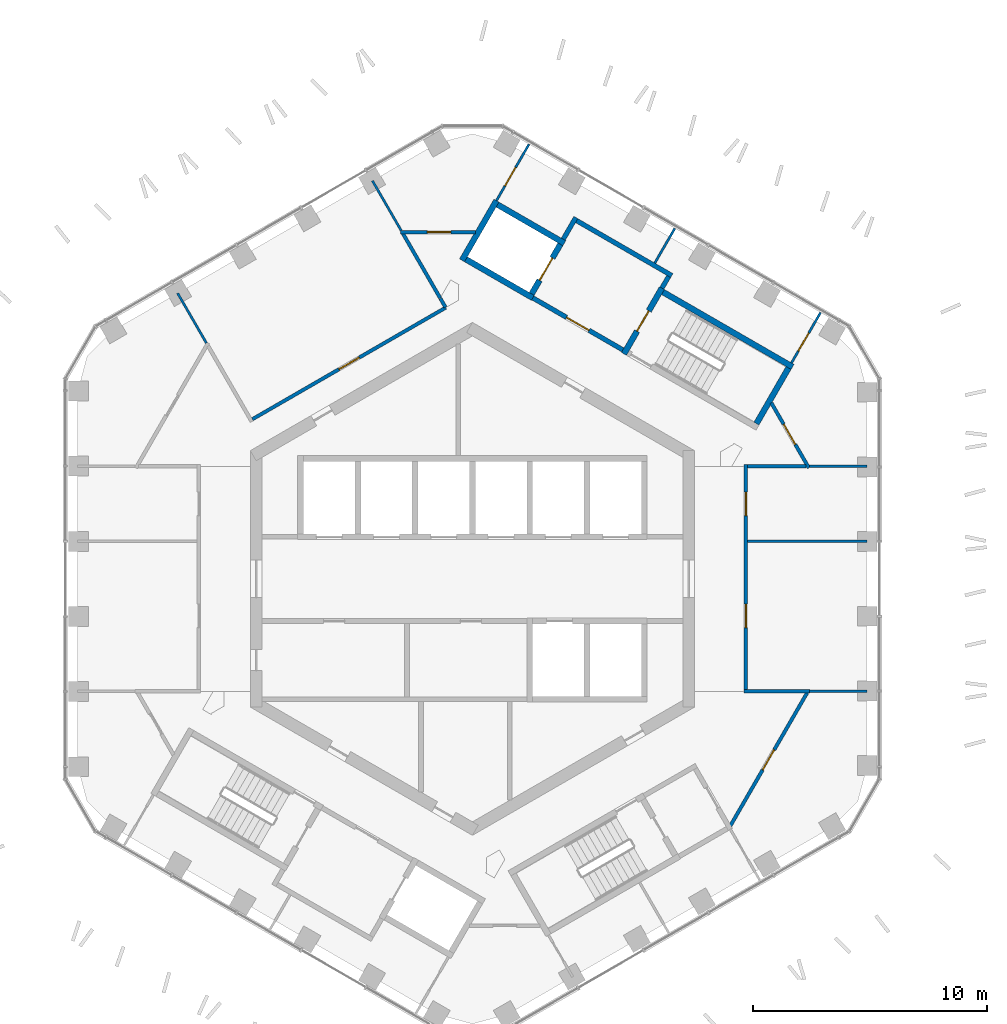
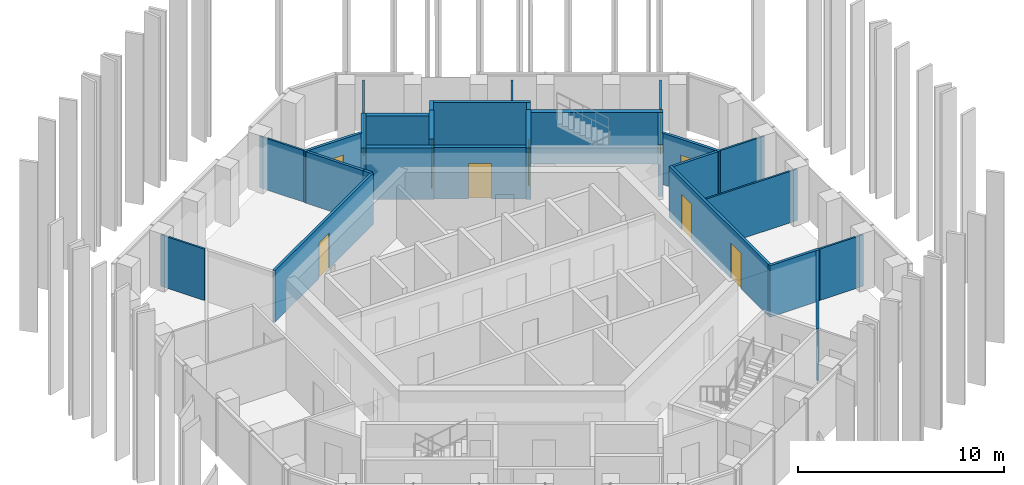
# One storey, part 14 of 18: 28 walls, 11 doors, 11 openings.
"""IFC4 building model written with IfcOpenShell, lengths in metres."""

from ifc_helpers import new_model, si_unit, direction, frame, frame_2d, origin, place, context, subcontext, project, spatial, rectangle, extrude, material, layer, layer_set, type_object, element, fill, save


model = new_model("IFC4")

# Units and contexts
model_context = context("Model", 3, precision=1e-05, world=origin(), true_north=direction((0.0, 1.0)))
body_context = subcontext(model_context, "Body", "Model", "MODEL_VIEW")
ifc_project = project(units=[si_unit("LENGTHUNIT", "METRE"), si_unit("AREAUNIT", "SQUARE_METRE"), si_unit("VOLUMEUNIT", "CUBIC_METRE"), si_unit("PLANEANGLEUNIT", "RADIAN"), si_unit("MASSUNIT", "GRAM", prefix="KILO")], contexts=[model_context])

# Site, building, storey
site_placement = place(None, origin())
site = spatial("IfcSite", under=ifc_project, at=site_placement, CompositionType="ELEMENT")
building_placement = place(site_placement, origin())
building = spatial("IfcBuilding", under=site, at=building_placement, Name="Ayvan Gate Tower", CompositionType="ELEMENT")
storey_placement = place(building_placement, frame((0.0, 0.0, 218.89990234375)))
storey = spatial("IfcBuildingStorey", under=building, at=storey_placement, Name="L58", CompositionType="ELEMENT", Elevation=218.89990234375)

# Wall, opening, door
ifc_material_1 = material(Name="Plasterboard on steel stud", Category="steel")
ifc_layer_1 = layer(ifc_material_1, 0.14990234375)
ifc_layer_set_1 = layer_set([ifc_layer_1], Name="Plasterboard on steel stud")
wall_type_1 = type_object("IfcWallType", Name="WT-CORR-150", PredefinedType="PARTITIONING", material=ifc_layer_set_1)
wall_1_placement = place(storey_placement, frame((-9.411376953125, 6.829345703125, 0.0), z_axis=(0.0, 0.0, 1.0), x_axis=(0.866029717158, 0.499992528944, 0.0)))
wall_1 = element("IfcWall", 1, at=wall_1_placement, inside=storey, type_object=wall_type_1, Name="IW-L58-013", PredefinedType="PARTITIONING", context=body_context, shape_type="SweptSolid", body=[
    extrude(rectangle(XDim=9.546630859375, YDim=0.14990234375, at=frame_2d((4.7734375, 0.0))), origin(), (0.0, 0.0, 1.0), 3.050048828125),
])
opening_1_placement = place(wall_1_placement, frame((4.273193359375, 0.0, 0.0)))
opening_1 = element("IfcOpeningElement", 2, at=opening_1_placement, cuts=wall_1, Name="Opening L58-D37", PredefinedType="OPENING", context=body_context, shape_type="SweptSolid", body=[
    extrude(rectangle(XDim=1.0, YDim=2.10009765625, at=frame_2d((0.5, 1.050048828125))), frame((0.0, 0.0849609375, 0.0), z_axis=(0.0, -1.0, 0.0), x_axis=(1.0, 0.0, 0.0)), (0.0, 0.0, 1.0), 0.169921875),
])
ifc_material_2 = material(Name="Timber door leaf", Category="wood")
door_type_1 = type_object("IfcDoorType", Name="DT-1000", OperationType="NOTDEFINED", PredefinedType="DOOR", material=ifc_material_2)
door_1_placement = place(opening_1_placement, origin())
door_1 = element("IfcDoor", 3, at=door_1_placement, inside=storey, type_object=door_type_1, Name="ID-L58-037", OperationType="SINGLE_SWING_LEFT", OverallHeight=2.10009765625, OverallWidth=1.0, PredefinedType="DOOR", context=body_context, shape_type="SweptSolid", body=[
    extrude(rectangle(XDim=1.0, YDim=2.10009765625, at=frame_2d((0.5, 1.050048828125))), frame((0.0, 0.02490234375, 0.0), z_axis=(0.0, -1.0, 0.0), x_axis=(1.0, 0.0, 0.0)), (0.0, 0.0, 1.0), 0.050048828125),
])
fill(opening_1, door_1)

wall_2_placement = place(storey_placement, frame((-3.08544921875, 14.8359375, 0.0), z_axis=(0.0, 0.0, 1.0), x_axis=(1.0, 0.0, 0.0)))
wall_2 = element("IfcWall", 4, at=wall_2_placement, inside=storey, type_object=wall_type_1, Name="IW-L58-028", PredefinedType="PARTITIONING", context=body_context, shape_type="SweptSolid", body=[
    extrude(rectangle(XDim=3.212158203125, YDim=0.14990234375, at=frame_2d((1.60595703125, 0.0))), origin(), (0.0, 0.0, 1.0), 3.050048828125),
])
opening_2_placement = place(wall_2_placement, frame((1.160888671875, 0.0, 0.0)))
opening_2 = element("IfcOpeningElement", 5, at=opening_2_placement, cuts=wall_2, Name="Opening L58-D25", PredefinedType="OPENING", context=body_context, shape_type="SweptSolid", body=[
    extrude(rectangle(XDim=1.0, YDim=2.10009765625, at=frame_2d((0.5, 1.050048828125))), frame((0.0, 0.0849609375, 0.0), z_axis=(0.0, -1.0, 0.0), x_axis=(1.0, 0.0, 0.0)), (0.0, 0.0, 1.0), 0.169921875),
])
door_2_placement = place(opening_2_placement, origin())
door_2 = element("IfcDoor", 6, at=door_2_placement, inside=storey, type_object=door_type_1, Name="ID-L58-025", OperationType="SINGLE_SWING_LEFT", OverallHeight=2.10009765625, OverallWidth=1.0, PredefinedType="DOOR", context=body_context, shape_type="SweptSolid", body=[
    extrude(rectangle(XDim=1.0, YDim=2.10009765625, at=frame_2d((0.5, 1.050048828125))), frame((0.0, 0.02490234375, 0.0), z_axis=(0.0, -1.0, 0.0), x_axis=(1.0, 0.0, 0.0)), (0.0, 0.0, 1.0), 0.050048828125),
])
fill(opening_2, door_2)

# Walls
wall_3_placement = place(storey_placement, frame((-1.37939453125, 12.0107421875, 0.0), z_axis=(0.0, 0.0, 1.0), x_axis=(-0.49997000245, 0.866042722185, 0.0)))
element("IfcWall", 7, at=wall_3_placement, inside=storey, type_object=wall_type_1, Name="IW-L58-036", PredefinedType="PARTITIONING", context=body_context, shape_type="SweptSolid", body=[
    extrude(rectangle(XDim=3.187255859375, YDim=0.14990234375, at=frame_2d((1.59375, 0.0))), origin(), (0.0, 0.0, 1.0), 3.050048828125),
])
wall_4_placement = place(storey_placement, frame((-1.369384765625, 11.993408203125, 0.0), z_axis=(0.0, 0.0, 1.0), x_axis=(0.499853131152, -0.86611018195, 0.0)))
element("IfcWall", 8, at=wall_4_placement, inside=storey, type_object=wall_type_1, Name="IW-L58-037", PredefinedType="PARTITIONING", context=body_context, shape_type="SweptSolid", body=[
    extrude(rectangle(XDim=0.431396484375, YDim=0.14990234375, at=frame_2d((0.2158203125, 0.0))), origin(), (0.0, 0.0, 1.0), 3.050048828125),
])
wall_5_placement = place(storey_placement, frame((11.625, -4.810791015625, 0.0), z_axis=(0.0, 0.0, 1.0), x_axis=(1.0, 0.0, 0.0)))
element("IfcWall", 9, at=wall_5_placement, inside=storey, type_object=wall_type_1, Name="IW-L58-075", PredefinedType="PARTITIONING", context=body_context, shape_type="SweptSolid", body=[
    extrude(rectangle(XDim=2.803466796875, YDim=0.14990234375, at=frame_2d((1.40185546875, 0.0))), origin(), (0.0, 0.0, 1.0), 3.050048828125),
])

# Wall, openings, doors
wall_6_placement = place(storey_placement, frame((11.699951171875, -4.73583984375, 0.0), z_axis=(0.0, 0.0, 1.0), x_axis=(0.0, 1.0, 0.0)))
wall_6 = element("IfcWall", 10, at=wall_6_placement, inside=storey, type_object=wall_type_1, Name="IW-L58-077", PredefinedType="PARTITIONING", context=body_context, shape_type="SweptSolid", body=[
    extrude(rectangle(XDim=9.62158203125, YDim=0.14990234375, at=frame_2d((4.810791015625, 0.0))), origin(), (0.0, 0.0, 1.0), 3.050048828125),
])
opening_3_placement = place(wall_6_placement, frame((2.65478515625, 0.0, 0.0)))
opening_3 = element("IfcOpeningElement", 11, at=opening_3_placement, cuts=wall_6, Name="Opening L58-D21", PredefinedType="OPENING", context=body_context, shape_type="SweptSolid", body=[
    extrude(rectangle(XDim=1.0, YDim=2.10009765625, at=frame_2d((0.5, 1.050048828125))), frame((0.0, 0.0849609375, 0.0), z_axis=(0.0, -1.0, 0.0), x_axis=(1.0, 0.0, 0.0)), (0.0, 0.0, 1.0), 0.169921875),
])
opening_4_placement = place(wall_6_placement, frame((7.44287109375, 0.0, 0.0)))
opening_4 = element("IfcOpeningElement", 12, at=opening_4_placement, cuts=wall_6, Name="Opening L58-D22", PredefinedType="OPENING", context=body_context, shape_type="SweptSolid", body=[
    extrude(rectangle(XDim=1.0, YDim=2.10009765625, at=frame_2d((0.5, 1.050048828125))), frame((0.0, 0.0849609375, 0.0), z_axis=(0.0, -1.0, 0.0), x_axis=(1.0, 0.0, 0.0)), (0.0, 0.0, 1.0), 0.169921875),
])
door_3_placement = place(opening_3_placement, origin())
door_3 = element("IfcDoor", 13, at=door_3_placement, inside=storey, type_object=door_type_1, Name="ID-L58-021", OperationType="SINGLE_SWING_LEFT", OverallHeight=2.10009765625, OverallWidth=1.0, PredefinedType="DOOR", context=body_context, shape_type="SweptSolid", body=[
    extrude(rectangle(XDim=1.0, YDim=2.10009765625, at=frame_2d((0.5, 1.050048828125))), frame((0.0, 0.02490234375, 0.0), z_axis=(0.0, -1.0, 0.0), x_axis=(1.0, 0.0, 0.0)), (0.0, 0.0, 1.0), 0.050048828125),
])
fill(opening_3, door_3)
door_4_placement = place(opening_4_placement, origin())
door_4 = element("IfcDoor", 14, at=door_4_placement, inside=storey, type_object=door_type_1, Name="ID-L58-022", OperationType="SINGLE_SWING_RIGHT", OverallHeight=2.10009765625, OverallWidth=1.0, PredefinedType="DOOR", context=body_context, shape_type="SweptSolid", body=[
    extrude(rectangle(XDim=1.0, YDim=2.10009765625, at=frame_2d((0.5, 1.050048828125))), frame((0.0, 0.02490234375, 0.0), z_axis=(0.0, -1.0, 0.0), x_axis=(1.0, 0.0, 0.0)), (0.0, 0.0, 1.0), 0.050048828125),
])
fill(opening_4, door_4)

# Wall, opening, door
wall_7_placement = place(storey_placement, frame((12.784912109375, 7.527587890625, 0.0), z_axis=(0.0, 0.0, 1.0), x_axis=(0.500038251005, -0.86600331843, 0.0)))
wall_7 = element("IfcWall", 15, at=wall_7_placement, inside=storey, type_object=wall_type_1, Name="IW-L58-080", PredefinedType="PARTITIONING", context=body_context, shape_type="SweptSolid", body=[
    extrude(rectangle(XDim=3.212158203125, YDim=0.14990234375, at=frame_2d((1.60595703125, 0.0))), origin(), (0.0, 0.0, 1.0), 3.050048828125),
])
opening_5_placement = place(wall_7_placement, frame((1.05126953125, 0.0, 0.0)))
opening_5 = element("IfcOpeningElement", 16, at=opening_5_placement, cuts=wall_7, Name="Opening L58-D23", PredefinedType="OPENING", context=body_context, shape_type="SweptSolid", body=[
    extrude(rectangle(XDim=1.0, YDim=2.10009765625, at=frame_2d((0.5, 1.050048828125))), frame((0.0, 0.0849609375, 0.0), z_axis=(0.0, -1.0, 0.0), x_axis=(1.0, 0.0, 0.0)), (0.0, 0.0, 1.0), 0.169921875),
])
door_5_placement = place(opening_5_placement, origin())
door_5 = element("IfcDoor", 17, at=door_5_placement, inside=storey, type_object=door_type_1, Name="ID-L58-023", OperationType="SINGLE_SWING_LEFT", OverallHeight=2.10009765625, OverallWidth=1.0, PredefinedType="DOOR", context=body_context, shape_type="SweptSolid", body=[
    extrude(rectangle(XDim=1.0, YDim=2.10009765625, at=frame_2d((0.5, 1.050048828125))), frame((0.0, 0.02490234375, 0.0), z_axis=(0.0, -1.0, 0.0), x_axis=(1.0, 0.0, 0.0)), (0.0, 0.0, 1.0), 0.050048828125),
])
fill(opening_5, door_5)

# Wall
wall_8_placement = place(storey_placement, frame((14.278564453125, 4.810791015625, 0.0), z_axis=(0.0, 0.0, 1.0), x_axis=(-1.0, 0.0, 0.0)))
element("IfcWall", 18, at=wall_8_placement, inside=storey, type_object=wall_type_1, Name="IW-L58-083", PredefinedType="PARTITIONING", context=body_context, shape_type="SweptSolid", body=[
    extrude(rectangle(XDim=2.503662109375, YDim=0.14990234375, at=frame_2d((1.251953125, 0.0))), origin(), (0.0, 0.0, 1.0), 3.050048828125),
])

# Wall, opening, door
wall_9_placement = place(storey_placement, frame((14.31591796875, -4.875732421875, 0.0), z_axis=(0.0, 0.0, 1.0), x_axis=(-0.499994719637, -0.866028452382, 0.0)))
wall_9 = element("IfcWall", 19, at=wall_9_placement, inside=storey, type_object=wall_type_1, Name="IW-L58-085", PredefinedType="PARTITIONING", context=body_context, shape_type="SweptSolid", body=[
    extrude(rectangle(XDim=6.701171875, YDim=0.14990234375, at=frame_2d((3.3505859375, 0.0))), origin(), (0.0, 0.0, 1.0), 3.050048828125),
])
opening_6_placement = place(wall_9_placement, frame((2.808349609375, 0.0, 0.0)))
opening_6 = element("IfcOpeningElement", 20, at=opening_6_placement, cuts=wall_9, Name="Opening L58-D35", PredefinedType="OPENING", context=body_context, shape_type="SweptSolid", body=[
    extrude(rectangle(XDim=1.0, YDim=2.10009765625, at=frame_2d((0.5, 1.050048828125))), frame((0.0, 0.0849609375, 0.0), z_axis=(0.0, -1.0, 0.0), x_axis=(1.0, 0.0, 0.0)), (0.0, 0.0, 1.0), 0.169921875),
])
door_6_placement = place(opening_6_placement, origin())
door_6 = element("IfcDoor", 21, at=door_6_placement, inside=storey, type_object=door_type_1, Name="ID-L58-035", OperationType="SINGLE_SWING_LEFT", OverallHeight=2.10009765625, OverallWidth=1.0, PredefinedType="DOOR", context=body_context, shape_type="SweptSolid", body=[
    extrude(rectangle(XDim=1.0, YDim=2.10009765625, at=frame_2d((0.5, 1.050048828125))), frame((0.0, 0.02490234375, 0.0), z_axis=(0.0, -1.0, 0.0), x_axis=(1.0, 0.0, 0.0)), (0.0, 0.0, 1.0), 0.050048828125),
])
fill(opening_6, door_6)

# Walls
ifc_layer_2 = layer(ifc_material_1, 0.10009765625)
ifc_layer_set_2 = layer_set([ifc_layer_2], Name="Plasterboard on steel stud")
wall_type_2 = type_object("IfcWallType", Name="WT-PART-100", PredefinedType="PARTITIONING", material=ifc_layer_set_2)
wall_10_placement = place(storey_placement, frame((-12.610107421875, 12.219482421875, 0.0), z_axis=(0.0, 0.0, 1.0), x_axis=(0.500026134388, -0.866010314562, 0.0)))
element("IfcWall", 22, at=wall_10_placement, inside=storey, type_object=wall_type_2, Name="IW-L58-007", PredefinedType="PARTITIONING", context=body_context, shape_type="SweptSolid", body=[
    extrude(rectangle(XDim=2.458740234375, YDim=0.10009765625, at=frame_2d((1.2294921875, 0.0))), origin(), (0.0, 0.0, 1.0), 3.050048828125),
])
wall_11_placement = place(storey_placement, frame((-3.048095703125, 14.90087890625, 0.0), z_axis=(0.0, 0.0, 1.0), x_axis=(-0.499983141994, 0.86603513654, 0.0)))
element("IfcWall", 23, at=wall_11_placement, inside=storey, type_object=wall_type_2, Name="IW-L58-027", PredefinedType="PARTITIONING", context=body_context, shape_type="SweptSolid", body=[
    extrude(rectangle(XDim=2.458984375, YDim=0.10009765625, at=frame_2d((1.2294921875, 0.0))), origin(), (0.0, 0.0, 1.0), 3.050048828125),
])

# Wall, opening, door
wall_12_placement = place(storey_placement, frame((2.4189453125, 18.589599609375, 0.0), z_axis=(0.0, 0.0, 1.0), x_axis=(-0.500016013541, -0.866016158165, 0.0)))
wall_12 = element("IfcWall", 24, at=wall_12_placement, inside=storey, type_object=wall_type_2, Name="IW-L58-046", PredefinedType="PARTITIONING", context=body_context, shape_type="SweptSolid", body=[
    extrude(rectangle(XDim=2.78369140625, YDim=0.10009765625, at=frame_2d((1.391845703125, 0.0))), origin(), (0.0, 0.0, 1.0), 3.050048828125),
])
opening_7_placement = place(wall_12_placement, frame((1.15234375, 0.0, 0.0)))
opening_7 = element("IfcOpeningElement", 25, at=opening_7_placement, cuts=wall_12, Name="Opening L58-D26", PredefinedType="OPENING", context=body_context, shape_type="SweptSolid", body=[
    extrude(rectangle(XDim=0.89990234375, YDim=2.10009765625, at=frame_2d((0.449951171875, 1.050048828125))), frame((0.0, 0.06005859375, 0.0), z_axis=(0.0, -1.0, 0.0), x_axis=(1.0, 0.0, 0.0)), (0.0, 0.0, 1.0), 0.1201171875),
])
door_type_2 = type_object("IfcDoorType", Name="DT-900", OperationType="NOTDEFINED", PredefinedType="DOOR", material=ifc_material_2)
door_7_placement = place(opening_7_placement, origin())
door_7 = element("IfcDoor", 26, at=door_7_placement, inside=storey, type_object=door_type_2, Name="ID-L58-026", OperationType="SINGLE_SWING_RIGHT", OverallHeight=2.10009765625, OverallWidth=0.89990234375, PredefinedType="DOOR", context=body_context, shape_type="SweptSolid", body=[
    extrude(rectangle(XDim=0.89990234375, YDim=2.10009765625, at=frame_2d((0.449951171875, 1.050048828125))), frame((0.0, 0.02490234375, 0.0), z_axis=(0.0, -1.0, 0.0), x_axis=(1.0, 0.0, 0.0)), (0.0, 0.0, 1.0), 0.050048828125),
])
fill(opening_7, door_7)

# Walls
wall_13_placement = place(storey_placement, frame((7.800048828125, 13.510009765625, 0.0), z_axis=(0.0, 0.0, 1.0), x_axis=(0.500027584368, 0.866009477356, 0.0)))
element("IfcWall", 27, at=wall_13_placement, inside=storey, type_object=wall_type_2, Name="IW-L58-069", PredefinedType="PARTITIONING", context=body_context, shape_type="SweptSolid", body=[
    extrude(rectangle(XDim=1.70849609375, YDim=0.10009765625, at=frame_2d((0.854248046875, 0.0))), origin(), (0.0, 0.0, 1.0), 3.050048828125),
])
wall_14_placement = place(storey_placement, frame((11.77490234375, 1.603515625, 0.0), z_axis=(0.0, 0.0, 1.0), x_axis=(1.0, 0.0, 0.0)))
element("IfcWall", 28, at=wall_14_placement, inside=storey, type_object=wall_type_2, Name="IW-L58-076", PredefinedType="PARTITIONING", context=body_context, shape_type="SweptSolid", body=[
    extrude(rectangle(XDim=5.112548828125, YDim=0.10009765625, at=frame_2d((2.55615234375, 0.0))), origin(), (0.0, 0.0, 1.0), 3.050048828125),
])

# Wall, opening, door
wall_15_placement = place(storey_placement, frame((13.647705078125, 9.23876953125, 0.0), z_axis=(0.0, 0.0, 1.0), x_axis=(0.500040114371, 0.866002242503, 0.0)))
wall_15 = element("IfcWall", 29, at=wall_15_placement, inside=storey, type_object=wall_type_2, Name="IW-L58-082", PredefinedType="PARTITIONING", context=body_context, shape_type="SweptSolid", body=[
    extrude(rectangle(XDim=2.483642578125, YDim=0.10009765625, at=frame_2d((1.24169921875, 0.0))), origin(), (0.0, 0.0, 1.0), 3.050048828125),
])
opening_8_placement = place(wall_15_placement, frame((0.581298828125, 0.0, 0.0)))
opening_8 = element("IfcOpeningElement", 30, at=opening_8_placement, cuts=wall_15, Name="Opening L58-D24", PredefinedType="OPENING", context=body_context, shape_type="SweptSolid", body=[
    extrude(rectangle(XDim=0.89990234375, YDim=2.10009765625, at=frame_2d((0.449951171875, 1.050048828125))), frame((0.0, 0.06005859375, 0.0), z_axis=(0.0, -1.0, 0.0), x_axis=(1.0, 0.0, 0.0)), (0.0, 0.0, 1.0), 0.1201171875),
])
door_8_placement = place(opening_8_placement, origin())
door_8 = element("IfcDoor", 31, at=door_8_placement, inside=storey, type_object=door_type_2, Name="ID-L58-024", OperationType="SINGLE_SWING_RIGHT", OverallHeight=2.10009765625, OverallWidth=0.89990234375, PredefinedType="DOOR", context=body_context, shape_type="SweptSolid", body=[
    extrude(rectangle(XDim=0.89990234375, YDim=2.10009765625, at=frame_2d((0.449951171875, 1.050048828125))), frame((0.0, 0.02490234375, 0.0), z_axis=(0.0, -1.0, 0.0), x_axis=(1.0, 0.0, 0.0)), (0.0, 0.0, 1.0), 0.050048828125),
])
fill(opening_8, door_8)

# Walls
for number, where, z_axis, x_axis, name in (
    (32, (14.428466796875, 4.810791015625, 0.0), (0.0, 0.0, 1.0), (1.0, 0.0, 0.0), "IW-L58-084"),
    (33, (16.887451171875, -4.810791015625, 0.0), (0.0, 0.0, 1.0), (-1.0, 0.0, 0.0), "IW-L58-086"),
):
    element("IfcWall", number, at=place(storey_placement, frame(where, z_axis=z_axis, x_axis=x_axis)), inside=storey, type_object=wall_type_2, Name=name, PredefinedType="PARTITIONING", context=body_context, shape_type="SweptSolid", body=[
        extrude(rectangle(XDim=2.458984375, YDim=0.10009765625, at=frame_2d((1.2294921875, 0.0))), origin(), (0.0, 0.0, 1.0), 3.050048828125),
    ])
ifc_layer_3 = layer(ifc_material_1, 0.199951171875)
ifc_layer_set_3 = layer_set([ifc_layer_3], Name="Plasterboard on steel stud")
wall_type_3 = type_object("IfcWallType", Name="WT-RATED-200", PredefinedType="PARTITIONING", material=ifc_layer_set_3)
wall_16_placement = place(storey_placement, frame((3.885009765625, 14.52880859375, 0.0), z_axis=(0.0, 0.0, 1.0), x_axis=(0.499997628298, 0.866026773083, 0.0)))
element("IfcWall", 34, at=wall_16_placement, inside=storey, type_object=wall_type_3, Name="IW-L58-054", PredefinedType="PARTITIONING", context=body_context, shape_type="SweptSolid", body=[
    extrude(rectangle(XDim=1.0751953125, YDim=0.199951171875, at=frame_2d((0.53759765625, 0.0))), origin(), (0.0, 0.0, 1.0), 3.050048828125),
])
wall_17_placement = place(storey_placement, frame((4.458984375, 15.323486328125, 0.0), z_axis=(0.0, 0.0, 1.0), x_axis=(0.866016039709, -0.500016218704, 0.0)))
element("IfcWall", 35, at=wall_17_placement, inside=storey, type_object=wall_type_3, Name="IW-L58-055", PredefinedType="PARTITIONING", context=body_context, shape_type="SweptSolid", body=[
    extrude(rectangle(XDim=4.699951171875, YDim=0.199951171875, at=frame_2d((2.35009765625, 0.0))), origin(), (0.0, 0.0, 1.0), 3.050048828125),
])

# Wall, opening, door
wall_18_placement = place(storey_placement, frame((6.4345703125, 9.794921875, 0.0), z_axis=(0.0, 0.0, 1.0), x_axis=(-0.866012907634, 0.500021643343, 0.0)))
wall_18 = element("IfcWall", 36, at=wall_18_placement, inside=storey, type_object=wall_type_3, Name="IW-L58-060", PredefinedType="PARTITIONING", context=body_context, shape_type="SweptSolid", body=[
    extrude(rectangle(XDim=4.449951171875, YDim=0.199951171875, at=frame_2d((2.22509765625, 0.0))), origin(), (0.0, 0.0, 1.0), 3.050048828125),
])
opening_9_placement = place(wall_18_placement, frame((1.675048828125, 0.0, 0.0)))
opening_9 = element("IfcOpeningElement", 37, at=opening_9_placement, cuts=wall_18, Name="Opening L58-D12", PredefinedType="OPENING", context=body_context, shape_type="SweptSolid", body=[
    extrude(rectangle(XDim=1.10009765625, YDim=2.10009765625, at=frame_2d((0.550048828125, 1.050048828125))), frame((0.0, 0.10986328125, 0.0), z_axis=(0.0, -1.0, 0.0), x_axis=(1.0, 0.0, 0.0)), (0.0, 0.0, 1.0), 0.219970703125),
])
door_type_3 = type_object("IfcDoorType", Name="DT-1100", OperationType="NOTDEFINED", PredefinedType="DOOR", material=ifc_material_2)
door_9_placement = place(opening_9_placement, origin())
door_9 = element("IfcDoor", 38, at=door_9_placement, inside=storey, type_object=door_type_3, Name="ID-L58-012", OperationType="SINGLE_SWING_RIGHT", OverallHeight=2.10009765625, OverallWidth=1.10009765625, PredefinedType="DOOR", context=body_context, shape_type="SweptSolid", body=[
    extrude(rectangle(XDim=1.10009765625, YDim=2.10009765625, at=frame_2d((0.550048828125, 1.050048828125))), frame((0.0, 0.02490234375, 0.0), z_axis=(0.0, -1.0, 0.0), x_axis=(1.0, 0.0, 0.0)), (0.0, 0.0, 1.0), 0.050048828125),
])
fill(opening_9, door_9)

# Walls
wall_19_placement = place(storey_placement, frame((8.392822265625, 12.936767578125, 0.0), z_axis=(0.0, 0.0, 1.0), x_axis=(-0.500065409566, -0.86598763626, 0.0)))
element("IfcWall", 39, at=wall_19_placement, inside=storey, type_object=wall_type_3, Name="IW-L58-071", PredefinedType="PARTITIONING", context=body_context, shape_type="SweptSolid", body=[
    extrude(rectangle(XDim=0.5751953125, YDim=0.199951171875, at=frame_2d((0.28759765625, 0.0))), origin(), (0.0, 0.0, 1.0), 3.050048828125),
])
ifc_material_3 = material(Name="Concrete C50/60", Category="concrete")
ifc_layer_4 = layer(ifc_material_3, 0.25)
ifc_layer_set_4 = layer_set([ifc_layer_4], Name="Concrete C50/60")
wall_type_4 = type_object("IfcWallType", Name="WT-RC-250", PredefinedType="SHEAR", material=ifc_layer_set_4)
wall_20_placement = place(storey_placement, frame((-0.447998046875, 13.624267578125, 0.0), z_axis=(0.0, 0.0, 1.0), x_axis=(0.500037662692, 0.866003658127, 0.0)))
element("IfcWall", 40, at=wall_20_placement, inside=storey, type_object=wall_type_4, Name="IW-L58-040", PredefinedType="SHEAR", context=body_context, shape_type="SweptSolid", body=[
    extrude(rectangle(XDim=2.949951171875, YDim=0.25, at=frame_2d((1.47509765625, 0.0))), origin(), (0.0, 0.0, 1.0), 3.050048828125),
])
for number, where, z_axis, x_axis, name in (
    (41, (1.072998046875, 16.00830078125, 0.0), (0.0, 0.0, 1.0), (0.866040211805, -0.499974350878, 0.0), "IW-L58-043"),
    (42, (2.580810546875, 12.02001953125, 0.0), (0.0, 0.0, 1.0), (-0.866040211805, 0.499974350878, 0.0), "IW-L58-049"),
):
    element("IfcWall", number, at=place(storey_placement, frame(where, z_axis=z_axis, x_axis=x_axis)), inside=storey, type_object=wall_type_4, Name=name, PredefinedType="SHEAR", context=body_context, shape_type="SweptSolid", body=[
        extrude(rectangle(XDim=3.300048828125, YDim=0.25, at=frame_2d((1.64990234375, 0.0))), origin(), (0.0, 0.0, 1.0), 3.050048828125),
    ])

# Wall, opening, door
wall_21_placement = place(storey_placement, frame((2.534912109375, 12.19091796875, 0.0), z_axis=(0.0, 0.0, 1.0), x_axis=(0.500061746146, 0.865989751695, 0.0)))
wall_21 = element("IfcWall", 43, at=wall_21_placement, inside=storey, type_object=wall_type_4, Name="IW-L58-050", PredefinedType="SHEAR", context=body_context, shape_type="SweptSolid", body=[
    extrude(rectangle(XDim=2.449951171875, YDim=0.25, at=frame_2d((1.22509765625, 0.0))), origin(), (0.0, 0.0, 1.0), 3.400146484375),
])
opening_10_placement = place(wall_21_placement, frame((0.675048828125, 0.0, 0.0)))
opening_10 = element("IfcOpeningElement", 44, at=opening_10_placement, cuts=wall_21, Name="Opening L58-LD-FF1", PredefinedType="OPENING", context=body_context, shape_type="SweptSolid", body=[
    extrude(rectangle(XDim=1.10009765625, YDim=2.10009765625, at=frame_2d((0.550048828125, 1.050048828125))), frame((0.0, 0.135009765625, 0.0), z_axis=(0.0, -1.0, 0.0), x_axis=(1.0, 0.0, 0.0)), (0.0, 0.0, 1.0), 0.27001953125),
])
ifc_material_4 = material(Name="Stainless steel landing door", Category="steel")
door_type_4 = type_object("IfcDoorType", Name="DT-LANDING-1100", OperationType="SLIDING_TO_LEFT", PredefinedType="DOOR", material=ifc_material_4)
door_10_placement = place(opening_10_placement, origin())
door_10 = element("IfcDoor", 45, at=door_10_placement, inside=storey, type_object=door_type_4, Name="ID-L58-013", OperationType="SLIDING_TO_LEFT", OverallHeight=2.10009765625, OverallWidth=1.10009765625, PredefinedType="DOOR", context=body_context, shape_type="SweptSolid", body=[
    extrude(rectangle(XDim=1.10009765625, YDim=2.10009765625, at=frame_2d((0.550048828125, 1.050048828125))), frame((0.0, 0.02490234375, 0.0), z_axis=(0.0, -1.0, 0.0), x_axis=(1.0, 0.0, 0.0)), (0.0, 0.0, 1.0), 0.050048828125),
])
fill(opening_10, door_10)

wall_22_placement = place(storey_placement, frame((6.480224609375, 9.624267578125, 0.0), z_axis=(0.0, 0.0, 1.0), x_axis=(0.500017246033, 0.866015446554, 0.0)))
wall_22 = element("IfcWall", 46, at=wall_22_placement, inside=storey, type_object=wall_type_4, Name="IW-L58-061", PredefinedType="SHEAR", context=body_context, shape_type="SweptSolid", body=[
    extrude(rectangle(XDim=3.25, YDim=0.25, at=frame_2d((1.625, 0.0))), origin(), (0.0, 0.0, 1.0), 3.050048828125),
])
opening_11_placement = place(wall_22_placement, frame((1.125, 0.0, 0.0)))
opening_11 = element("IfcOpeningElement", 47, at=opening_11_placement, cuts=wall_22, Name="Opening L58-D11", PredefinedType="OPENING", context=body_context, shape_type="SweptSolid", body=[
    extrude(rectangle(XDim=1.0, YDim=2.10009765625, at=frame_2d((0.5, 1.050048828125))), frame((0.0, 0.135009765625, 0.0), z_axis=(0.0, -1.0, 0.0), x_axis=(1.0, 0.0, 0.0)), (0.0, 0.0, 1.0), 0.27001953125),
])
door_11_placement = place(opening_11_placement, origin())
door_11 = element("IfcDoor", 48, at=door_11_placement, inside=storey, type_object=door_type_1, Name="ID-L58-011", OperationType="SINGLE_SWING_LEFT", OverallHeight=2.10009765625, OverallWidth=1.0, PredefinedType="DOOR", context=body_context, shape_type="SweptSolid", body=[
    extrude(rectangle(XDim=1.0, YDim=2.10009765625, at=frame_2d((0.5, 1.050048828125))), frame((0.0, 0.02490234375, 0.0), z_axis=(0.0, -1.0, 0.0), x_axis=(1.0, 0.0, 0.0)), (0.0, 0.0, 1.0), 0.050048828125),
])
fill(opening_11, door_11)

# Walls
wall_23_placement = place(storey_placement, frame((8.151123046875, 12.26806640625, 0.0), z_axis=(0.0, 0.0, 1.0), x_axis=(0.866025499775, -0.499999833739, 0.0)))
element("IfcWall", 49, at=wall_23_placement, inside=storey, type_object=wall_type_4, Name="IW-L58-070", PredefinedType="SHEAR", context=body_context, shape_type="SweptSolid", body=[
    extrude(rectangle(XDim=6.39990234375, YDim=0.25, at=frame_2d((3.199951171875, 0.0))), origin(), (0.0, 0.0, 1.0), 3.050048828125),
])
wall_24_placement = place(storey_placement, frame((12.14794921875, 6.640869140625, 0.0), z_axis=(0.0, 0.0, 1.0), x_axis=(0.500034990121, 0.866005201286, 0.0)))
element("IfcWall", 50, at=wall_24_placement, inside=storey, type_object=wall_type_4, Name="IW-L58-081", PredefinedType="SHEAR", context=body_context, shape_type="SweptSolid", body=[
    extrude(rectangle(XDim=2.749755859375, YDim=0.25, at=frame_2d((1.375, 0.0))), origin(), (0.0, 0.0, 1.0), 3.050048828125),
])

save(model, "model.ifc")
